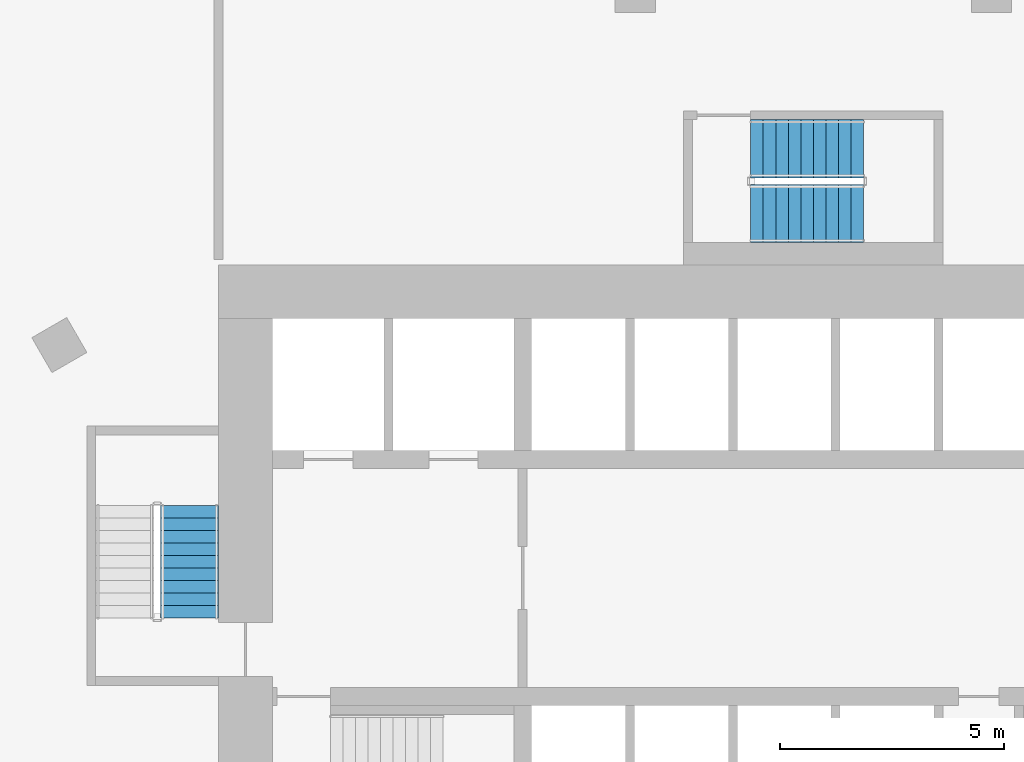
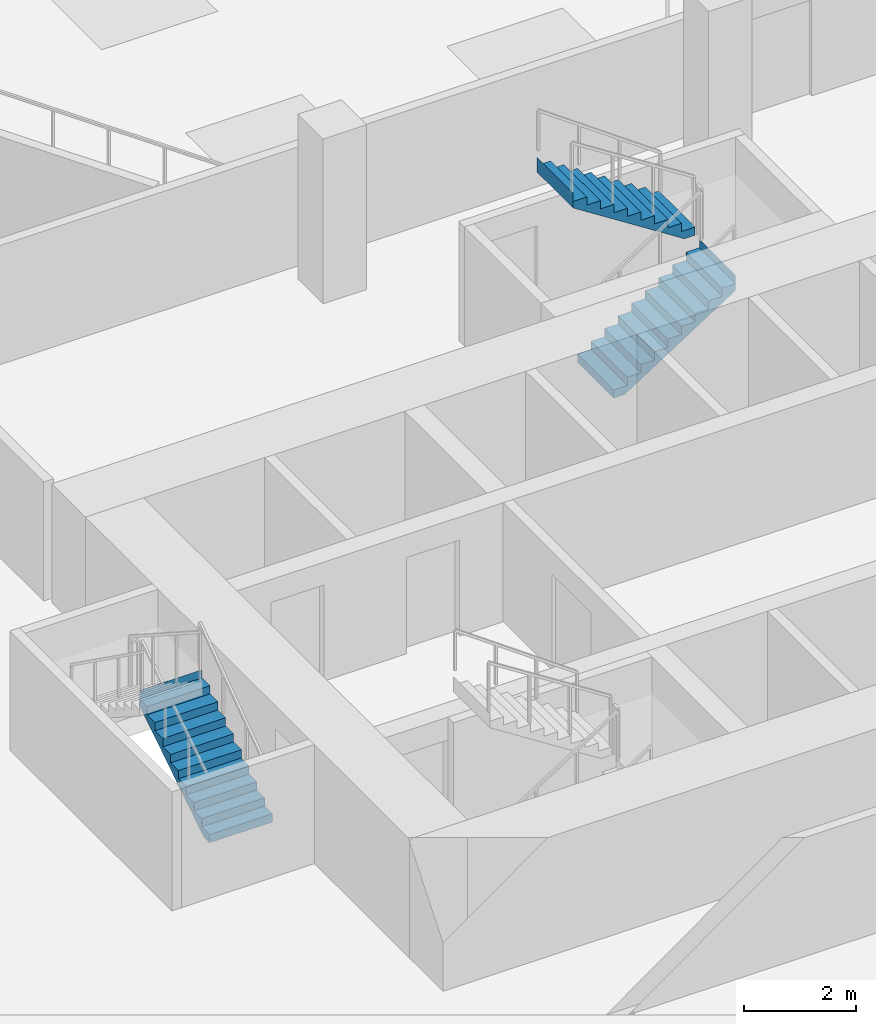
# One storey, part 17 of 22: 3 stair flights, 2 elements without a shape of their own.
"""IFC4 building model written with IfcOpenShell, lengths in metres."""

from ifc_helpers import new_model, si_unit, direction, frame, origin, place, context, subcontext, project, spatial, triangles, material, type_object, element, aggregate, save


model = new_model("IFC4")

# Units and contexts
model_context = context("Model", 3, precision=1e-05, world=origin(), true_north=direction((0.0, 1.0)))
body_context = subcontext(model_context, "Body", "Model", "MODEL_VIEW")
ifc_project = project(units=[si_unit("LENGTHUNIT", "METRE"), si_unit("AREAUNIT", "SQUARE_METRE"), si_unit("VOLUMEUNIT", "CUBIC_METRE"), si_unit("PLANEANGLEUNIT", "RADIAN"), si_unit("MASSUNIT", "GRAM", prefix="KILO")], contexts=[model_context])

# Site, building, storey
site_placement = place(None, origin())
site = spatial("IfcSite", under=ifc_project, at=site_placement, CompositionType="ELEMENT")
building_placement = place(site_placement, origin())
building = spatial("IfcBuilding", under=site, at=building_placement, Name="Beryl Residences", CompositionType="ELEMENT")
storey_placement = place(building_placement, frame((0.0, 0.0, 62.39990234375)))
storey = spatial("IfcBuildingStorey", under=building, at=storey_placement, Name="L19", CompositionType="ELEMENT", Elevation=62.39990234375)

# Stair, stair flight
ifc_material_1 = material(Name="Concrete C40/50", Category="concrete")
stair_type = type_object("IfcStairType", Name="ST1 protected exit stair, half-turn, 1300 mm flights", PredefinedType="HALF_TURN_STAIR", material=ifc_material_1)
stair_1_placement = place(storey_placement, origin())
stair_1 = element("IfcStair", 1, at=stair_1_placement, inside=storey, type_object=stair_type, Name="L19 PROTECTED EXIT STAIR ST-2", PredefinedType="HALF_TURN_STAIR")
ifc_material_2 = material(Name="Concrete C40/50", Category="concrete")
stair_flight_type = type_object("IfcStairFlightType", Name="SF1 stair flight 1300 mm", PredefinedType="STRAIGHT", material=ifc_material_2)
stair_flight_1_placement = place(storey_placement, frame((-13.949951171875, -12.89990234375, 0.0), z_axis=(0.0, 0.0, 1.0), x_axis=(0.0, 1.0, 0.0)))
stair_flight_1 = element("IfcStairFlight", 2, at=stair_flight_1_placement, type_object=stair_flight_type, Name="ST-2 flight 1", NumberOfRisers=10, NumberOfTreads=9, PredefinedType="STRAIGHT", RiserHeight=0.18, TreadLength=0.28, context=body_context, shape_type="Tessellation", body=[
    triangles([(0.0, -0.64990234375, 0.0), (0.0, -0.324951171875, 0.0), (0.0, 0.0, 0.0), (0.0, 0.324951171875, 0.0), (0.0, 0.64990234375, 0.0), (0.0, -0.64990234375, 0.179931640625), (0.0, -0.324951171875, 0.179931640625), (0.0, 0.0, 0.179931640625), (0.0, 0.324951171875, 0.179931640625), (0.0, 0.64990234375, 0.179931640625), (0.280029296875, -0.64990234375, 0.179931640625), (0.280029296875, -0.324951171875, 0.179931640625), (0.280029296875, 0.0, 0.179931640625), (0.280029296875, 0.324951171875, 0.179931640625), (0.280029296875, 0.64990234375, 0.179931640625), (0.280029296875, -0.64990234375, 0.360107421875), (0.280029296875, -0.324951171875, 0.360107421875), (0.280029296875, 0.0, 0.360107421875), (0.280029296875, 0.324951171875, 0.360107421875), (0.280029296875, 0.64990234375, 0.360107421875), (0.56005859375, -0.64990234375, 0.360107421875), (0.56005859375, -0.324951171875, 0.360107421875), (0.56005859375, 0.0, 0.360107421875), (0.56005859375, 0.324951171875, 0.360107421875), (0.56005859375, 0.64990234375, 0.360107421875), (0.56005859375, -0.64990234375, 0.5400390625), (0.56005859375, -0.324951171875, 0.5400390625), (0.56005859375, 0.0, 0.5400390625), (0.56005859375, 0.324951171875, 0.5400390625), (0.56005859375, 0.64990234375, 0.5400390625), (0.840087890625, -0.64990234375, 0.5400390625), (0.840087890625, -0.324951171875, 0.5400390625), (0.840087890625, 0.0, 0.5400390625), (0.840087890625, 0.324951171875, 0.5400390625), (0.840087890625, 0.64990234375, 0.5400390625), (0.840087890625, -0.64990234375, 0.719970703125), (0.840087890625, -0.324951171875, 0.719970703125), (0.840087890625, 0.0, 0.719970703125), (0.840087890625, 0.324951171875, 0.719970703125), (0.840087890625, 0.64990234375, 0.719970703125), (1.1201171875, -0.64990234375, 0.719970703125), (1.1201171875, -0.324951171875, 0.719970703125), (1.1201171875, 0.0, 0.719970703125), (1.1201171875, 0.324951171875, 0.719970703125), (1.1201171875, 0.64990234375, 0.719970703125), (1.1201171875, -0.64990234375, 0.89990234375), (1.1201171875, -0.324951171875, 0.89990234375), (1.1201171875, 0.0, 0.89990234375), (1.1201171875, 0.324951171875, 0.89990234375), (1.1201171875, 0.64990234375, 0.89990234375), (1.39990234375, -0.64990234375, 0.89990234375), (1.39990234375, -0.324951171875, 0.89990234375), (1.39990234375, 0.0, 0.89990234375), (1.39990234375, 0.324951171875, 0.89990234375), (1.39990234375, 0.64990234375, 0.89990234375), (1.39990234375, -0.64990234375, 1.080078125), (1.39990234375, -0.324951171875, 1.080078125), (1.39990234375, 0.0, 1.080078125), (1.39990234375, 0.324951171875, 1.080078125), (1.39990234375, 0.64990234375, 1.080078125), (1.679931640625, -0.64990234375, 1.080078125), (1.679931640625, -0.324951171875, 1.080078125), (1.679931640625, 0.0, 1.080078125), (1.679931640625, 0.324951171875, 1.080078125), (1.679931640625, 0.64990234375, 1.080078125), (1.679931640625, -0.64990234375, 1.260009765625), (1.679931640625, -0.324951171875, 1.260009765625), (1.679931640625, 0.0, 1.260009765625), (1.679931640625, 0.324951171875, 1.260009765625), (1.679931640625, 0.64990234375, 1.260009765625), (1.9599609375, -0.64990234375, 1.260009765625), (1.9599609375, -0.324951171875, 1.260009765625), (1.9599609375, 0.0, 1.260009765625), (1.9599609375, 0.324951171875, 1.260009765625), (1.9599609375, 0.64990234375, 1.260009765625), (1.9599609375, -0.64990234375, 1.43994140625), (1.9599609375, -0.324951171875, 1.43994140625), (1.9599609375, 0.0, 1.43994140625), (1.9599609375, 0.324951171875, 1.43994140625), (1.9599609375, 0.64990234375, 1.43994140625), (2.239990234375, -0.64990234375, 1.43994140625), (2.239990234375, -0.324951171875, 1.43994140625), (2.239990234375, 0.0, 1.43994140625), (2.239990234375, 0.324951171875, 1.43994140625), (2.239990234375, 0.64990234375, 1.43994140625), (2.239990234375, -0.64990234375, 1.6201171875), (2.239990234375, -0.324951171875, 1.6201171875), (2.239990234375, 0.0, 1.6201171875), (2.239990234375, 0.324951171875, 1.6201171875), (2.239990234375, 0.64990234375, 1.6201171875), (2.52001953125, -0.64990234375, 1.6201171875), (2.52001953125, -0.324951171875, 1.6201171875), (2.52001953125, 0.0, 1.6201171875), (2.52001953125, 0.324951171875, 1.6201171875), (2.52001953125, 0.64990234375, 1.6201171875), (2.52001953125, -0.64990234375, 1.800048828125), (2.52001953125, -0.324951171875, 1.800048828125), (2.52001953125, 0.0, 1.800048828125), (2.52001953125, 0.324951171875, 1.800048828125), (2.52001953125, 0.64990234375, 1.800048828125), (2.52099609375, -0.64990234375, 1.800048828125), (2.52099609375, -0.324951171875, 1.800048828125), (2.52099609375, 0.0, 1.800048828125), (2.52099609375, 0.324951171875, 1.800048828125), (2.52099609375, 0.64990234375, 1.800048828125), (2.52099609375, -0.64990234375, 1.477294921875), (2.52099609375, -0.324951171875, 1.477294921875), (2.52099609375, 0.0, 1.477294921875), (2.52099609375, 0.324951171875, 1.477294921875), (2.52099609375, 0.64990234375, 1.477294921875), (0.22314453125, -0.64990234375, 0.0), (0.22314453125, -0.324951171875, 0.0), (0.22314453125, 0.0, 0.0), (0.22314453125, 0.324951171875, 0.0), (0.22314453125, 0.64990234375, 0.0)], [[1, 6, 7], [1, 7, 2], [2, 7, 8], [2, 8, 3], [3, 8, 9], [3, 9, 4], [4, 9, 10], [4, 10, 5], [6, 11, 12], [6, 12, 7], [7, 12, 13], [7, 13, 8], [8, 13, 14], [8, 14, 9], [9, 14, 15], [9, 15, 10], [11, 16, 17], [11, 17, 12], [12, 17, 18], [12, 18, 13], [13, 18, 19], [13, 19, 14], [14, 19, 20], [14, 20, 15], [16, 21, 22], [16, 22, 17], [17, 22, 23], [17, 23, 18], [18, 23, 24], [18, 24, 19], [19, 24, 25], [19, 25, 20], [21, 26, 27], [21, 27, 22], [22, 27, 28], [22, 28, 23], [23, 28, 29], [23, 29, 24], [24, 29, 30], [24, 30, 25], [26, 31, 32], [26, 32, 27], [27, 32, 33], [27, 33, 28], [28, 33, 34], [28, 34, 29], [29, 34, 35], [29, 35, 30], [31, 36, 37], [31, 37, 32], [32, 37, 38], [32, 38, 33], [33, 38, 39], [33, 39, 34], [34, 39, 40], [34, 40, 35], [36, 41, 42], [36, 42, 37], [37, 42, 43], [37, 43, 38], [38, 43, 44], [38, 44, 39], [39, 44, 45], [39, 45, 40], [41, 46, 47], [41, 47, 42], [42, 47, 48], [42, 48, 43], [43, 48, 49], [43, 49, 44], [44, 49, 50], [44, 50, 45], [46, 51, 52], [46, 52, 47], [47, 52, 53], [47, 53, 48], [48, 53, 54], [48, 54, 49], [49, 54, 55], [49, 55, 50], [51, 56, 57], [51, 57, 52], [52, 57, 58], [52, 58, 53], [53, 58, 59], [53, 59, 54], [54, 59, 60], [54, 60, 55], [56, 61, 62], [56, 62, 57], [57, 62, 63], [57, 63, 58], [58, 63, 64], [58, 64, 59], [59, 64, 65], [59, 65, 60], [61, 66, 67], [61, 67, 62], [62, 67, 68], [62, 68, 63], [63, 68, 69], [63, 69, 64], [64, 69, 70], [64, 70, 65], [66, 71, 72], [66, 72, 67], [67, 72, 73], [67, 73, 68], [68, 73, 74], [68, 74, 69], [69, 74, 75], [69, 75, 70], [71, 76, 77], [71, 77, 72], [72, 77, 78], [72, 78, 73], [73, 78, 79], [73, 79, 74], [74, 79, 80], [74, 80, 75], [76, 81, 82], [76, 82, 77], [77, 82, 83], [77, 83, 78], [78, 83, 84], [78, 84, 79], [79, 84, 85], [79, 85, 80], [81, 86, 87], [81, 87, 82], [82, 87, 88], [82, 88, 83], [83, 88, 89], [83, 89, 84], [84, 89, 90], [84, 90, 85], [86, 91, 92], [86, 92, 87], [87, 92, 93], [87, 93, 88], [88, 93, 94], [88, 94, 89], [89, 94, 95], [89, 95, 90], [91, 96, 97], [91, 97, 92], [92, 97, 98], [92, 98, 93], [93, 98, 99], [93, 99, 94], [94, 99, 100], [94, 100, 95], [96, 101, 102], [96, 102, 97], [97, 102, 103], [97, 103, 98], [98, 103, 104], [98, 104, 99], [99, 104, 105], [99, 105, 100], [101, 106, 107], [101, 107, 102], [102, 107, 108], [102, 108, 103], [103, 108, 109], [103, 109, 104], [104, 109, 110], [104, 110, 105], [106, 111, 112], [106, 112, 107], [107, 112, 113], [107, 113, 108], [108, 113, 114], [108, 114, 109], [109, 114, 115], [109, 115, 110], [111, 1, 2], [111, 2, 112], [112, 2, 3], [112, 3, 113], [113, 3, 4], [113, 4, 114], [114, 4, 5], [114, 5, 115], [1, 111, 106], [5, 110, 115], [106, 101, 96], [110, 100, 105], [106, 96, 91], [110, 95, 100], [106, 91, 86], [110, 90, 95], [106, 86, 81], [110, 85, 90], [81, 76, 71], [85, 75, 80], [106, 81, 71], [110, 75, 85], [71, 66, 61], [75, 65, 70], [106, 71, 61], [110, 65, 75], [61, 56, 51], [65, 55, 60], [106, 61, 51], [110, 55, 65], [51, 46, 41], [55, 45, 50], [106, 51, 41], [110, 45, 55], [41, 36, 31], [45, 35, 40], [106, 41, 31], [110, 35, 45], [31, 26, 21], [35, 25, 30], [106, 31, 21], [110, 25, 35], [21, 16, 11], [25, 15, 20], [106, 21, 11], [110, 15, 25], [1, 106, 11], [5, 15, 110], [11, 6, 1], [15, 5, 10]], closed=True),
])
aggregate(stair_1, [stair_flight_1])

# Stair, stair flights
stair_2_placement = place(storey_placement, origin())
stair_2 = element("IfcStair", 3, at=stair_2_placement, inside=storey, type_object=stair_type, Name="L19 PROTECTED EXIT STAIR ST-4", PredefinedType="HALF_TURN_STAIR")
stair_flight_2_placement = place(storey_placement, frame((-1.39990234375, -3.85009765625, 0.0), z_axis=(0.0, 0.0, 1.0), x_axis=(1.0, 0.0, 0.0)))
stair_flight_2 = element("IfcStairFlight", 4, at=stair_flight_2_placement, type_object=stair_flight_type, Name="ST-4 flight 1", NumberOfRisers=10, NumberOfTreads=9, PredefinedType="STRAIGHT", RiserHeight=0.18, TreadLength=0.28, context=body_context, shape_type="Tessellation", body=[
    triangles([(0.0, -0.64990234375, 0.0), (0.0, -0.324951171875, 0.0), (0.0, 0.0, 0.0), (0.0, 0.324951171875, 0.0), (0.0, 0.64990234375, 0.0), (0.0, -0.64990234375, 0.179931640625), (0.0, -0.324951171875, 0.179931640625), (0.0, 0.0, 0.179931640625), (0.0, 0.324951171875, 0.179931640625), (0.0, 0.64990234375, 0.179931640625), (0.280029296875, -0.64990234375, 0.179931640625), (0.280029296875, -0.324951171875, 0.179931640625), (0.280029296875, 0.0, 0.179931640625), (0.280029296875, 0.324951171875, 0.179931640625), (0.280029296875, 0.64990234375, 0.179931640625), (0.280029296875, -0.64990234375, 0.360107421875), (0.280029296875, -0.324951171875, 0.360107421875), (0.280029296875, 0.0, 0.360107421875), (0.280029296875, 0.324951171875, 0.360107421875), (0.280029296875, 0.64990234375, 0.360107421875), (0.56005859375, -0.64990234375, 0.360107421875), (0.56005859375, -0.324951171875, 0.360107421875), (0.56005859375, 0.0, 0.360107421875), (0.56005859375, 0.324951171875, 0.360107421875), (0.56005859375, 0.64990234375, 0.360107421875), (0.56005859375, -0.64990234375, 0.5400390625), (0.56005859375, -0.324951171875, 0.5400390625), (0.56005859375, 0.0, 0.5400390625), (0.56005859375, 0.324951171875, 0.5400390625), (0.56005859375, 0.64990234375, 0.5400390625), (0.840087890625, -0.64990234375, 0.5400390625), (0.840087890625, -0.324951171875, 0.5400390625), (0.840087890625, 0.0, 0.5400390625), (0.840087890625, 0.324951171875, 0.5400390625), (0.840087890625, 0.64990234375, 0.5400390625), (0.840087890625, -0.64990234375, 0.719970703125), (0.840087890625, -0.324951171875, 0.719970703125), (0.840087890625, 0.0, 0.719970703125), (0.840087890625, 0.324951171875, 0.719970703125), (0.840087890625, 0.64990234375, 0.719970703125), (1.1201171875, -0.64990234375, 0.719970703125), (1.1201171875, -0.324951171875, 0.719970703125), (1.1201171875, 0.0, 0.719970703125), (1.1201171875, 0.324951171875, 0.719970703125), (1.1201171875, 0.64990234375, 0.719970703125), (1.1201171875, -0.64990234375, 0.89990234375), (1.1201171875, -0.324951171875, 0.89990234375), (1.1201171875, 0.0, 0.89990234375), (1.1201171875, 0.324951171875, 0.89990234375), (1.1201171875, 0.64990234375, 0.89990234375), (1.39990234375, -0.64990234375, 0.89990234375), (1.39990234375, -0.324951171875, 0.89990234375), (1.39990234375, 0.0, 0.89990234375), (1.39990234375, 0.324951171875, 0.89990234375), (1.39990234375, 0.64990234375, 0.89990234375), (1.39990234375, -0.64990234375, 1.080078125), (1.39990234375, -0.324951171875, 1.080078125), (1.39990234375, 0.0, 1.080078125), (1.39990234375, 0.324951171875, 1.080078125), (1.39990234375, 0.64990234375, 1.080078125), (1.679931640625, -0.64990234375, 1.080078125), (1.679931640625, -0.324951171875, 1.080078125), (1.679931640625, 0.0, 1.080078125), (1.679931640625, 0.324951171875, 1.080078125), (1.679931640625, 0.64990234375, 1.080078125), (1.679931640625, -0.64990234375, 1.260009765625), (1.679931640625, -0.324951171875, 1.260009765625), (1.679931640625, 0.0, 1.260009765625), (1.679931640625, 0.324951171875, 1.260009765625), (1.679931640625, 0.64990234375, 1.260009765625), (1.9599609375, -0.64990234375, 1.260009765625), (1.9599609375, -0.324951171875, 1.260009765625), (1.9599609375, 0.0, 1.260009765625), (1.9599609375, 0.324951171875, 1.260009765625), (1.9599609375, 0.64990234375, 1.260009765625), (1.9599609375, -0.64990234375, 1.43994140625), (1.9599609375, -0.324951171875, 1.43994140625), (1.9599609375, 0.0, 1.43994140625), (1.9599609375, 0.324951171875, 1.43994140625), (1.9599609375, 0.64990234375, 1.43994140625), (2.239990234375, -0.64990234375, 1.43994140625), (2.239990234375, -0.324951171875, 1.43994140625), (2.239990234375, 0.0, 1.43994140625), (2.239990234375, 0.324951171875, 1.43994140625), (2.239990234375, 0.64990234375, 1.43994140625), (2.239990234375, -0.64990234375, 1.6201171875), (2.239990234375, -0.324951171875, 1.6201171875), (2.239990234375, 0.0, 1.6201171875), (2.239990234375, 0.324951171875, 1.6201171875), (2.239990234375, 0.64990234375, 1.6201171875), (2.52001953125, -0.64990234375, 1.6201171875), (2.52001953125, -0.324951171875, 1.6201171875), (2.52001953125, 0.0, 1.6201171875), (2.52001953125, 0.324951171875, 1.6201171875), (2.52001953125, 0.64990234375, 1.6201171875), (2.52001953125, -0.64990234375, 1.800048828125), (2.52001953125, -0.324951171875, 1.800048828125), (2.52001953125, 0.0, 1.800048828125), (2.52001953125, 0.324951171875, 1.800048828125), (2.52001953125, 0.64990234375, 1.800048828125), (2.52099609375, -0.64990234375, 1.800048828125), (2.52099609375, -0.324951171875, 1.800048828125), (2.52099609375, 0.0, 1.800048828125), (2.52099609375, 0.324951171875, 1.800048828125), (2.52099609375, 0.64990234375, 1.800048828125), (2.52099609375, -0.64990234375, 1.477294921875), (2.52099609375, -0.324951171875, 1.477294921875), (2.52099609375, 0.0, 1.477294921875), (2.52099609375, 0.324951171875, 1.477294921875), (2.52099609375, 0.64990234375, 1.477294921875), (0.22314453125, -0.64990234375, 0.0), (0.22314453125, -0.324951171875, 0.0), (0.22314453125, 0.0, 0.0), (0.22314453125, 0.324951171875, 0.0), (0.22314453125, 0.64990234375, 0.0)], [[1, 6, 7], [1, 7, 2], [2, 7, 8], [2, 8, 3], [3, 8, 9], [3, 9, 4], [4, 9, 10], [4, 10, 5], [6, 11, 12], [6, 12, 7], [7, 12, 13], [7, 13, 8], [8, 13, 14], [8, 14, 9], [9, 14, 15], [9, 15, 10], [11, 16, 17], [11, 17, 12], [12, 17, 18], [12, 18, 13], [13, 18, 19], [13, 19, 14], [14, 19, 20], [14, 20, 15], [16, 21, 22], [16, 22, 17], [17, 22, 23], [17, 23, 18], [18, 23, 24], [18, 24, 19], [19, 24, 25], [19, 25, 20], [21, 26, 27], [21, 27, 22], [22, 27, 28], [22, 28, 23], [23, 28, 29], [23, 29, 24], [24, 29, 30], [24, 30, 25], [26, 31, 32], [26, 32, 27], [27, 32, 33], [27, 33, 28], [28, 33, 34], [28, 34, 29], [29, 34, 35], [29, 35, 30], [31, 36, 37], [31, 37, 32], [32, 37, 38], [32, 38, 33], [33, 38, 39], [33, 39, 34], [34, 39, 40], [34, 40, 35], [36, 41, 42], [36, 42, 37], [37, 42, 43], [37, 43, 38], [38, 43, 44], [38, 44, 39], [39, 44, 45], [39, 45, 40], [41, 46, 47], [41, 47, 42], [42, 47, 48], [42, 48, 43], [43, 48, 49], [43, 49, 44], [44, 49, 50], [44, 50, 45], [46, 51, 52], [46, 52, 47], [47, 52, 53], [47, 53, 48], [48, 53, 54], [48, 54, 49], [49, 54, 55], [49, 55, 50], [51, 56, 57], [51, 57, 52], [52, 57, 58], [52, 58, 53], [53, 58, 59], [53, 59, 54], [54, 59, 60], [54, 60, 55], [56, 61, 62], [56, 62, 57], [57, 62, 63], [57, 63, 58], [58, 63, 64], [58, 64, 59], [59, 64, 65], [59, 65, 60], [61, 66, 67], [61, 67, 62], [62, 67, 68], [62, 68, 63], [63, 68, 69], [63, 69, 64], [64, 69, 70], [64, 70, 65], [66, 71, 72], [66, 72, 67], [67, 72, 73], [67, 73, 68], [68, 73, 74], [68, 74, 69], [69, 74, 75], [69, 75, 70], [71, 76, 77], [71, 77, 72], [72, 77, 78], [72, 78, 73], [73, 78, 79], [73, 79, 74], [74, 79, 80], [74, 80, 75], [76, 81, 82], [76, 82, 77], [77, 82, 83], [77, 83, 78], [78, 83, 84], [78, 84, 79], [79, 84, 85], [79, 85, 80], [81, 86, 87], [81, 87, 82], [82, 87, 88], [82, 88, 83], [83, 88, 89], [83, 89, 84], [84, 89, 90], [84, 90, 85], [86, 91, 92], [86, 92, 87], [87, 92, 93], [87, 93, 88], [88, 93, 94], [88, 94, 89], [89, 94, 95], [89, 95, 90], [91, 96, 97], [91, 97, 92], [92, 97, 98], [92, 98, 93], [93, 98, 99], [93, 99, 94], [94, 99, 100], [94, 100, 95], [96, 101, 102], [96, 102, 97], [97, 102, 103], [97, 103, 98], [98, 103, 104], [98, 104, 99], [99, 104, 105], [99, 105, 100], [101, 106, 107], [101, 107, 102], [102, 107, 108], [102, 108, 103], [103, 108, 109], [103, 109, 104], [104, 109, 110], [104, 110, 105], [106, 111, 112], [106, 112, 107], [107, 112, 113], [107, 113, 108], [108, 113, 114], [108, 114, 109], [109, 114, 115], [109, 115, 110], [111, 1, 2], [111, 2, 112], [112, 2, 3], [112, 3, 113], [113, 3, 4], [113, 4, 114], [114, 4, 5], [114, 5, 115], [1, 111, 106], [5, 110, 115], [106, 101, 96], [110, 100, 105], [106, 96, 91], [110, 95, 100], [106, 91, 86], [110, 90, 95], [106, 86, 81], [110, 85, 90], [81, 76, 71], [85, 75, 80], [106, 81, 71], [110, 75, 85], [71, 66, 61], [75, 65, 70], [106, 71, 61], [110, 65, 75], [61, 56, 51], [65, 55, 60], [106, 61, 51], [110, 55, 65], [51, 46, 41], [55, 45, 50], [106, 51, 41], [110, 45, 55], [41, 36, 31], [45, 35, 40], [106, 41, 31], [110, 35, 45], [31, 26, 21], [35, 25, 30], [106, 31, 21], [110, 25, 35], [21, 16, 11], [25, 15, 20], [106, 21, 11], [110, 15, 25], [1, 106, 11], [5, 15, 110], [11, 6, 1], [15, 5, 10]], closed=True),
])
stair_flight_3_placement = place(storey_placement, frame((1.1201171875, -2.39990234375, 1.800048828125), z_axis=(0.0, 0.0, 1.0), x_axis=(-1.0, 0.0, 0.0)))
stair_flight_3 = element("IfcStairFlight", 5, at=stair_flight_3_placement, type_object=stair_flight_type, Name="ST-4 flight 2", NumberOfRisers=10, NumberOfTreads=9, PredefinedType="STRAIGHT", RiserHeight=0.18, TreadLength=0.28, context=body_context, shape_type="Tessellation", body=[
    triangles([(0.0, -0.64990234375, 0.0), (0.0, -0.324951171875, 0.0), (0.0, 0.0, 0.0), (0.0, 0.324951171875, 0.0), (0.0, 0.64990234375, 0.0), (0.0, -0.64990234375, 0.179931640625), (0.0, -0.324951171875, 0.179931640625), (0.0, 0.0, 0.179931640625), (0.0, 0.324951171875, 0.179931640625), (0.0, 0.64990234375, 0.179931640625), (0.280029296875, -0.64990234375, 0.179931640625), (0.280029296875, -0.324951171875, 0.179931640625), (0.280029296875, 0.0, 0.179931640625), (0.280029296875, 0.324951171875, 0.179931640625), (0.280029296875, 0.64990234375, 0.179931640625), (0.280029296875, -0.64990234375, 0.360107421875), (0.280029296875, -0.324951171875, 0.360107421875), (0.280029296875, 0.0, 0.360107421875), (0.280029296875, 0.324951171875, 0.360107421875), (0.280029296875, 0.64990234375, 0.360107421875), (0.56005859375, -0.64990234375, 0.360107421875), (0.56005859375, -0.324951171875, 0.360107421875), (0.56005859375, 0.0, 0.360107421875), (0.56005859375, 0.324951171875, 0.360107421875), (0.56005859375, 0.64990234375, 0.360107421875), (0.56005859375, -0.64990234375, 0.5400390625), (0.56005859375, -0.324951171875, 0.5400390625), (0.56005859375, 0.0, 0.5400390625), (0.56005859375, 0.324951171875, 0.5400390625), (0.56005859375, 0.64990234375, 0.5400390625), (0.840087890625, -0.64990234375, 0.5400390625), (0.840087890625, -0.324951171875, 0.5400390625), (0.840087890625, 0.0, 0.5400390625), (0.840087890625, 0.324951171875, 0.5400390625), (0.840087890625, 0.64990234375, 0.5400390625), (0.840087890625, -0.64990234375, 0.719970703125), (0.840087890625, -0.324951171875, 0.719970703125), (0.840087890625, 0.0, 0.719970703125), (0.840087890625, 0.324951171875, 0.719970703125), (0.840087890625, 0.64990234375, 0.719970703125), (1.1201171875, -0.64990234375, 0.719970703125), (1.1201171875, -0.324951171875, 0.719970703125), (1.1201171875, 0.0, 0.719970703125), (1.1201171875, 0.324951171875, 0.719970703125), (1.1201171875, 0.64990234375, 0.719970703125), (1.1201171875, -0.64990234375, 0.89990234375), (1.1201171875, -0.324951171875, 0.89990234375), (1.1201171875, 0.0, 0.89990234375), (1.1201171875, 0.324951171875, 0.89990234375), (1.1201171875, 0.64990234375, 0.89990234375), (1.39990234375, -0.64990234375, 0.89990234375), (1.39990234375, -0.324951171875, 0.89990234375), (1.39990234375, 0.0, 0.89990234375), (1.39990234375, 0.324951171875, 0.89990234375), (1.39990234375, 0.64990234375, 0.89990234375), (1.39990234375, -0.64990234375, 1.080078125), (1.39990234375, -0.324951171875, 1.080078125), (1.39990234375, 0.0, 1.080078125), (1.39990234375, 0.324951171875, 1.080078125), (1.39990234375, 0.64990234375, 1.080078125), (1.679931640625, -0.64990234375, 1.080078125), (1.679931640625, -0.324951171875, 1.080078125), (1.679931640625, 0.0, 1.080078125), (1.679931640625, 0.324951171875, 1.080078125), (1.679931640625, 0.64990234375, 1.080078125), (1.679931640625, -0.64990234375, 1.260009765625), (1.679931640625, -0.324951171875, 1.260009765625), (1.679931640625, 0.0, 1.260009765625), (1.679931640625, 0.324951171875, 1.260009765625), (1.679931640625, 0.64990234375, 1.260009765625), (1.9599609375, -0.64990234375, 1.260009765625), (1.9599609375, -0.324951171875, 1.260009765625), (1.9599609375, 0.0, 1.260009765625), (1.9599609375, 0.324951171875, 1.260009765625), (1.9599609375, 0.64990234375, 1.260009765625), (1.9599609375, -0.64990234375, 1.43994140625), (1.9599609375, -0.324951171875, 1.43994140625), (1.9599609375, 0.0, 1.43994140625), (1.9599609375, 0.324951171875, 1.43994140625), (1.9599609375, 0.64990234375, 1.43994140625), (2.239990234375, -0.64990234375, 1.43994140625), (2.239990234375, -0.324951171875, 1.43994140625), (2.239990234375, 0.0, 1.43994140625), (2.239990234375, 0.324951171875, 1.43994140625), (2.239990234375, 0.64990234375, 1.43994140625), (2.239990234375, -0.64990234375, 1.6201171875), (2.239990234375, -0.324951171875, 1.6201171875), (2.239990234375, 0.0, 1.6201171875), (2.239990234375, 0.324951171875, 1.6201171875), (2.239990234375, 0.64990234375, 1.6201171875), (2.52001953125, -0.64990234375, 1.6201171875), (2.52001953125, -0.324951171875, 1.6201171875), (2.52001953125, 0.0, 1.6201171875), (2.52001953125, 0.324951171875, 1.6201171875), (2.52001953125, 0.64990234375, 1.6201171875), (2.52001953125, -0.64990234375, 1.800048828125), (2.52001953125, -0.324951171875, 1.800048828125), (2.52001953125, 0.0, 1.800048828125), (2.52001953125, 0.324951171875, 1.800048828125), (2.52001953125, 0.64990234375, 1.800048828125), (2.52099609375, -0.64990234375, 1.800048828125), (2.52099609375, -0.324951171875, 1.800048828125), (2.52099609375, 0.0, 1.800048828125), (2.52099609375, 0.324951171875, 1.800048828125), (2.52099609375, 0.64990234375, 1.800048828125), (2.52099609375, -0.64990234375, 1.477294921875), (2.52099609375, -0.324951171875, 1.477294921875), (2.52099609375, 0.0, 1.477294921875), (2.52099609375, 0.324951171875, 1.477294921875), (2.52099609375, 0.64990234375, 1.477294921875), (0.22314453125, -0.64990234375, 0.0), (0.22314453125, -0.324951171875, 0.0), (0.22314453125, 0.0, 0.0), (0.22314453125, 0.324951171875, 0.0), (0.22314453125, 0.64990234375, 0.0)], [[1, 6, 7], [1, 7, 2], [2, 7, 8], [2, 8, 3], [3, 8, 9], [3, 9, 4], [4, 9, 10], [4, 10, 5], [6, 11, 12], [6, 12, 7], [7, 12, 13], [7, 13, 8], [8, 13, 14], [8, 14, 9], [9, 14, 15], [9, 15, 10], [11, 16, 17], [11, 17, 12], [12, 17, 18], [12, 18, 13], [13, 18, 19], [13, 19, 14], [14, 19, 20], [14, 20, 15], [16, 21, 22], [16, 22, 17], [17, 22, 23], [17, 23, 18], [18, 23, 24], [18, 24, 19], [19, 24, 25], [19, 25, 20], [21, 26, 27], [21, 27, 22], [22, 27, 28], [22, 28, 23], [23, 28, 29], [23, 29, 24], [24, 29, 30], [24, 30, 25], [26, 31, 32], [26, 32, 27], [27, 32, 33], [27, 33, 28], [28, 33, 34], [28, 34, 29], [29, 34, 35], [29, 35, 30], [31, 36, 37], [31, 37, 32], [32, 37, 38], [32, 38, 33], [33, 38, 39], [33, 39, 34], [34, 39, 40], [34, 40, 35], [36, 41, 42], [36, 42, 37], [37, 42, 43], [37, 43, 38], [38, 43, 44], [38, 44, 39], [39, 44, 45], [39, 45, 40], [41, 46, 47], [41, 47, 42], [42, 47, 48], [42, 48, 43], [43, 48, 49], [43, 49, 44], [44, 49, 50], [44, 50, 45], [46, 51, 52], [46, 52, 47], [47, 52, 53], [47, 53, 48], [48, 53, 54], [48, 54, 49], [49, 54, 55], [49, 55, 50], [51, 56, 57], [51, 57, 52], [52, 57, 58], [52, 58, 53], [53, 58, 59], [53, 59, 54], [54, 59, 60], [54, 60, 55], [56, 61, 62], [56, 62, 57], [57, 62, 63], [57, 63, 58], [58, 63, 64], [58, 64, 59], [59, 64, 65], [59, 65, 60], [61, 66, 67], [61, 67, 62], [62, 67, 68], [62, 68, 63], [63, 68, 69], [63, 69, 64], [64, 69, 70], [64, 70, 65], [66, 71, 72], [66, 72, 67], [67, 72, 73], [67, 73, 68], [68, 73, 74], [68, 74, 69], [69, 74, 75], [69, 75, 70], [71, 76, 77], [71, 77, 72], [72, 77, 78], [72, 78, 73], [73, 78, 79], [73, 79, 74], [74, 79, 80], [74, 80, 75], [76, 81, 82], [76, 82, 77], [77, 82, 83], [77, 83, 78], [78, 83, 84], [78, 84, 79], [79, 84, 85], [79, 85, 80], [81, 86, 87], [81, 87, 82], [82, 87, 88], [82, 88, 83], [83, 88, 89], [83, 89, 84], [84, 89, 90], [84, 90, 85], [86, 91, 92], [86, 92, 87], [87, 92, 93], [87, 93, 88], [88, 93, 94], [88, 94, 89], [89, 94, 95], [89, 95, 90], [91, 96, 97], [91, 97, 92], [92, 97, 98], [92, 98, 93], [93, 98, 99], [93, 99, 94], [94, 99, 100], [94, 100, 95], [96, 101, 102], [96, 102, 97], [97, 102, 103], [97, 103, 98], [98, 103, 104], [98, 104, 99], [99, 104, 105], [99, 105, 100], [101, 106, 107], [101, 107, 102], [102, 107, 108], [102, 108, 103], [103, 108, 109], [103, 109, 104], [104, 109, 110], [104, 110, 105], [106, 111, 112], [106, 112, 107], [107, 112, 113], [107, 113, 108], [108, 113, 114], [108, 114, 109], [109, 114, 115], [109, 115, 110], [111, 1, 2], [111, 2, 112], [112, 2, 3], [112, 3, 113], [113, 3, 4], [113, 4, 114], [114, 4, 5], [114, 5, 115], [1, 111, 106], [5, 110, 115], [106, 101, 96], [110, 100, 105], [106, 96, 91], [110, 95, 100], [106, 91, 86], [110, 90, 95], [106, 86, 81], [110, 85, 90], [81, 76, 71], [85, 75, 80], [106, 81, 71], [110, 75, 85], [71, 66, 61], [75, 65, 70], [106, 71, 61], [110, 65, 75], [61, 56, 51], [65, 55, 60], [106, 61, 51], [110, 55, 65], [51, 46, 41], [55, 45, 50], [106, 51, 41], [110, 45, 55], [41, 36, 31], [45, 35, 40], [106, 41, 31], [110, 35, 45], [31, 26, 21], [35, 25, 30], [106, 31, 21], [110, 25, 35], [21, 16, 11], [25, 15, 20], [106, 21, 11], [110, 15, 25], [1, 106, 11], [5, 15, 110], [11, 6, 1], [15, 5, 10]], closed=True),
])
aggregate(stair_2, [stair_flight_2, stair_flight_3])

save(model, "model.ifc")
